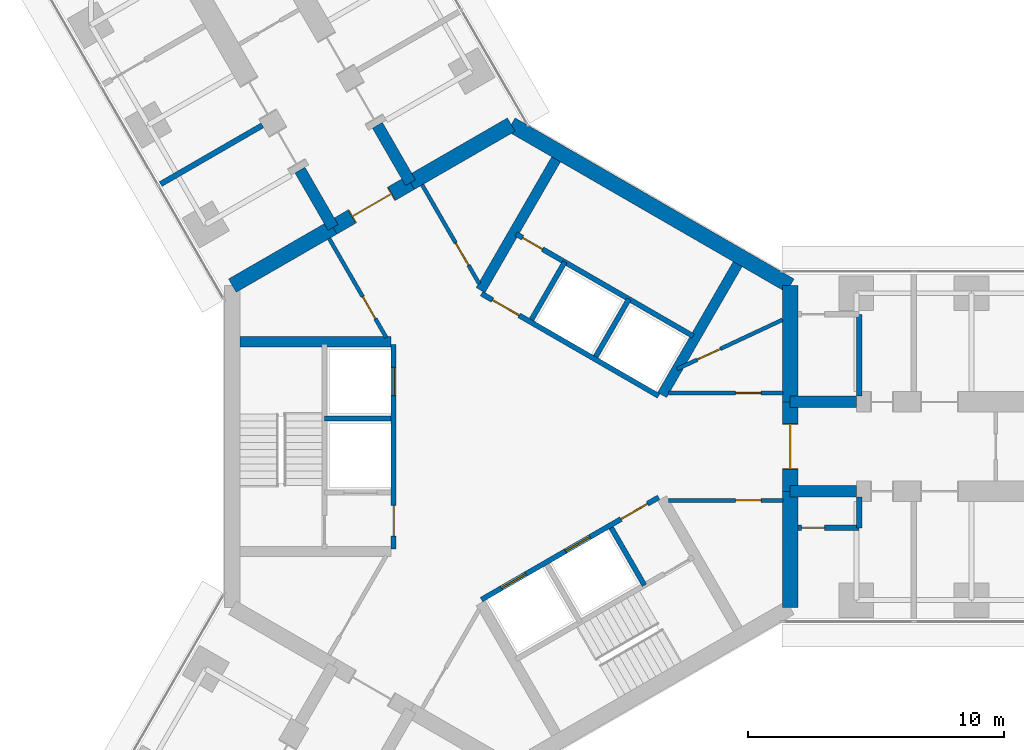
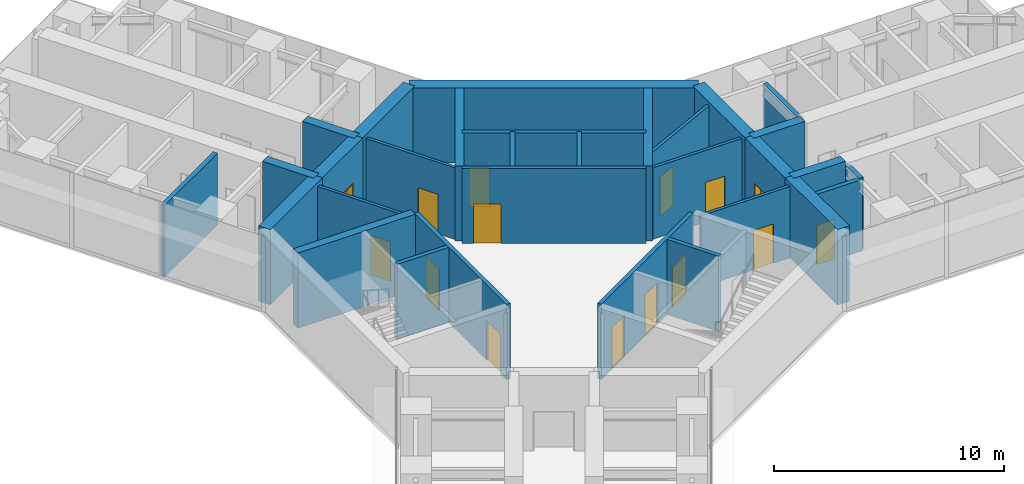
# One storey, part 16 of 21: 31 walls, 15 doors, 15 openings.
"""IFC4 building model written with IfcOpenShell, lengths in metres."""

from ifc_helpers import new_model, si_unit, direction, frame, frame_2d, origin, place, context, subcontext, project, spatial, rectangle, extrude, material, layer, layer_set, type_object, element, fill, save


model = new_model("IFC4")

# Units and contexts
model_context = context("Model", 3, precision=1e-05, world=origin(), true_north=direction((0.0, 1.0)))
body_context = subcontext(model_context, "Body", "Model", "MODEL_VIEW")
ifc_project = project(units=[si_unit("LENGTHUNIT", "METRE"), si_unit("AREAUNIT", "SQUARE_METRE"), si_unit("VOLUMEUNIT", "CUBIC_METRE"), si_unit("PLANEANGLEUNIT", "RADIAN"), si_unit("MASSUNIT", "GRAM", prefix="KILO")], contexts=[model_context])

# Site, building, storey
site_placement = place(None, origin())
site = spatial("IfcSite", under=ifc_project, at=site_placement, CompositionType="ELEMENT")
building_placement = place(site_placement, origin())
building = spatial("IfcBuilding", under=site, at=building_placement, Name="Upepo Twin Towers", CompositionType="ELEMENT")
storey_placement = place(building_placement, frame((0.0, 0.0, 117.5)))
storey = spatial("IfcBuildingStorey", under=building, at=storey_placement, Name="L28", CompositionType="ELEMENT", Elevation=117.5)

# Wall
ifc_material_1 = material(Name="Concrete blockwork, plastered both faces", Category="masonry")
ifc_layer_1 = layer(ifc_material_1, 0.215087890625)
ifc_layer_set_1 = layer_set([ifc_layer_1], Name="Blockwork partition 215")
wall_type_1 = type_object("IfcWallType", Name="Blockwork partition 215", PredefinedType="PARTITIONING", material=ifc_layer_set_1)
wall_1_placement = place(storey_placement, frame((13.60791015625, 1.97509765625, 0.0), z_axis=(0.0, 0.0, 1.0), x_axis=(0.0, 1.0, 0.0)))
element("IfcWall", 1, at=wall_1_placement, inside=storey, type_object=wall_type_1, Name="T1 WC bay partition AL end at 13.61", PredefinedType="PARTITIONING", context=body_context, shape_type="SweptSolid", body=[
    extrude(rectangle(XDim=3.199951171875, YDim=0.215087890625, at=frame_2d((1.60009765625, 0.0))), origin(), (0.0, 0.0, 1.0), 3.800048828125),
])

# Wall, opening, door
wall_2_placement = place(storey_placement, frame((11.2080078125, -3.175048828125, 0.0), z_axis=(0.0, 0.0, 1.0), x_axis=(1.0, 0.0, 0.0)))
wall_2 = element("IfcWall", 2, at=wall_2_placement, inside=storey, type_object=wall_type_1, Name="T1 WC bay partition AR at 11.21", PredefinedType="PARTITIONING", context=body_context, shape_type="SweptSolid", body=[
    extrude(rectangle(XDim=2.39990234375, YDim=0.215087890625, at=frame_2d((1.199951171875, 0.0))), origin(), (0.0, 0.0, 1.0), 3.800048828125),
])
opening_1_placement = place(wall_2_placement, frame((0.14990234375, 0.0, 0.0)))
opening_1 = element("IfcOpeningElement", 3, at=opening_1_placement, cuts=wall_2, Name="Opening D14", PredefinedType="OPENING", context=body_context, shape_type="SweptSolid", body=[
    extrude(rectangle(XDim=0.89990234375, YDim=2.10009765625, at=frame_2d((0.449951171875, 1.050048828125))), frame((0.0, 0.117431640625, 0.0), z_axis=(0.0, -1.0, 0.0), x_axis=(1.0, 0.0, 0.0)), (0.0, 0.0, 1.0), 0.235107421875),
])
ifc_material_2 = material(Name="Timber doorset", Category="wood")
door_type_1 = type_object("IfcDoorType", Name="Office door 900 FD30", OperationType="SINGLE_SWING_LEFT", PredefinedType="DOOR", material=ifc_material_2)
door_1_placement = place(opening_1_placement, origin())
door_1 = element("IfcDoor", 4, at=door_1_placement, inside=storey, type_object=door_type_1, Name="T1 L28 WC bay inner room door", OperationType="SINGLE_SWING_LEFT", OverallHeight=2.10009765625, OverallWidth=0.89990234375, PredefinedType="DOOR", context=body_context, shape_type="SweptSolid", body=[
    extrude(rectangle(XDim=0.89990234375, YDim=2.10009765625, at=frame_2d((0.449951171875, 1.050048828125))), frame((0.0, 0.02490234375, 0.0), z_axis=(0.0, -1.0, 0.0), x_axis=(1.0, 0.0, 0.0)), (0.0, 0.0, 1.0), 0.050048828125),
])
fill(opening_1, door_1)

# Walls
wall_3_placement = place(storey_placement, frame((13.60791015625, -1.97509765625, 0.0), z_axis=(0.0, 0.0, 1.0), x_axis=(0.0, -1.0, 0.0)))
element("IfcWall", 5, at=wall_3_placement, inside=storey, type_object=wall_type_1, Name="T1 WC bay partition AR end at 13.61", PredefinedType="PARTITIONING", context=body_context, shape_type="SweptSolid", body=[
    extrude(rectangle(XDim=1.199951171875, YDim=0.215087890625, at=frame_2d((0.60009765625, 0.0))), origin(), (0.0, 0.0, 1.0), 3.800048828125),
])
wall_4_placement = place(storey_placement, frame((-9.737060546875, 12.56494140625, 0.0), z_axis=(0.0, 0.0, 1.0), x_axis=(-0.866016770315, -0.500014953309, 0.0)))
element("IfcWall", 6, at=wall_4_placement, inside=storey, type_object=wall_type_1, Name="T1 partition BL at 15.75", PredefinedType="PARTITIONING", context=body_context, shape_type="SweptSolid", body=[
    extrude(rectangle(XDim=4.599853515625, YDim=0.215087890625, at=frame_2d((2.2998046875, 0.0))), origin(), (0.0, 0.0, 1.0), 3.800048828125),
])
ifc_material_3 = material(Name="Concrete C60/75", Category="concrete")
ifc_layer_2 = layer(ifc_material_3, 0.449951171875)
ifc_layer_set_2 = layer_set([ifc_layer_2], Name="Concrete C60/75")
wall_type_2 = type_object("IfcWallType", Name="Buttress wall 450 RC", PredefinedType="SHEAR", material=ifc_layer_set_2)
for number, where, z_axis, x_axis, name in (
    (7, (10.908447265625, 1.75, 0.0), (0.0, 0.0, 1.0), (1.0, 0.0, 0.0), "T1 wing A buttress wall L"),
    (8, (10.908447265625, -1.75, 0.0), (0.0, 0.0, 1.0), (1.0, 0.0, 0.0), "T1 wing A buttress wall R"),
):
    element("IfcWall", number, at=place(storey_placement, frame(where, z_axis=z_axis, x_axis=x_axis)), inside=storey, type_object=wall_type_2, Name=name, PredefinedType="SHEAR", context=body_context, shape_type="SweptSolid", body=[
        extrude(rectangle(XDim=2.591552734375, YDim=0.449951171875, at=frame_2d((1.2958984375, 0.0))), origin(), (0.0, 0.0, 1.0), 4.0),
    ])
for number, where, z_axis, x_axis, name in (
    (9, (-6.9697265625, 8.57177734375, 0.0), (0.0, 0.0, 1.0), (-0.499988811324, 0.866031863473, 0.0), "T1 wing B buttress wall L"),
    (10, (-3.938720703125, 10.32177734375, 0.0), (0.0, 0.0, 1.0), (-0.499918158782, 0.866072649678, 0.0), "T1 wing B buttress wall R"),
):
    element("IfcWall", number, at=place(storey_placement, frame(where, z_axis=z_axis, x_axis=x_axis)), inside=storey, type_object=wall_type_2, Name=name, PredefinedType="SHEAR", context=body_context, shape_type="SweptSolid", body=[
        extrude(rectangle(XDim=2.591796875, YDim=0.449951171875, at=frame_2d((1.2958984375, 0.0))), origin(), (0.0, 0.0, 1.0), 4.0),
    ])
ifc_material_4 = material(Name="Concrete C60/75", Category="concrete")
ifc_layer_3 = layer(ifc_material_4, 0.60009765625)
ifc_layer_set_3 = layer_set([ifc_layer_3], Name="Concrete C60/75")
wall_type_3 = type_object("IfcWallType", Name="Core wall 600 RC", PredefinedType="SHEAR", material=ifc_layer_set_3)
wall_5_placement = place(storey_placement, frame((10.908447265625, -6.2978515625, 0.0), z_axis=(0.0, 0.0, 1.0), x_axis=(0.0, 1.0, 0.0)))
element("IfcWall", 11, at=wall_5_placement, inside=storey, type_object=wall_type_3, Name="T1 core wall 000 R", PredefinedType="SHEAR", context=body_context, shape_type="SweptSolid", body=[
    extrude(rectangle(XDim=4.5478515625, YDim=0.60009765625, at=frame_2d((2.27392578125, 0.0))), origin(), (0.0, 0.0, 1.0), 4.0),
])

# Wall, opening, door
wall_6_placement = place(storey_placement, frame((10.908447265625, -1.75, 0.0), z_axis=(0.0, 0.0, 1.0), x_axis=(0.0, 1.0, 0.0)))
wall_6 = element("IfcWall", 12, at=wall_6_placement, inside=storey, type_object=wall_type_3, Name="T1 core wall 000", PredefinedType="SHEAR", context=body_context, shape_type="SweptSolid", body=[
    extrude(rectangle(XDim=3.5, YDim=0.60009765625, at=frame_2d((1.75, 0.0))), origin(), (0.0, 0.0, 1.0), 4.0),
])
opening_2_placement = place(wall_6_placement, frame((0.85009765625, 0.0, 0.0)))
opening_2 = element("IfcOpeningElement", 13, at=opening_2_placement, cuts=wall_6, Name="Opening D2", PredefinedType="OPENING", context=body_context, shape_type="SweptSolid", body=[
    extrude(rectangle(XDim=1.800048828125, YDim=2.10009765625, at=frame_2d((0.89990234375, 1.050048828125))), frame((0.0, 0.31005859375, 0.0), z_axis=(0.0, -1.0, 0.0), x_axis=(1.0, 0.0, 0.0)), (0.0, 0.0, 1.0), 0.6201171875),
])
ifc_material_5 = material(Name="Timber doorset", Category="wood")
door_type_2 = type_object("IfcDoorType", Name="Corridor double door 1800 FD60", OperationType="DOUBLE_DOOR_DOUBLE_SWING", PredefinedType="DOOR", material=ifc_material_5)
door_2_placement = place(opening_2_placement, origin())
door_2 = element("IfcDoor", 14, at=door_2_placement, inside=storey, type_object=door_type_2, Name="T1 L28 wing A corridor door", OperationType="DOUBLE_DOOR_DOUBLE_SWING", OverallHeight=2.10009765625, OverallWidth=1.800048828125, PredefinedType="DOOR", context=body_context, shape_type="SweptSolid", body=[
    extrude(rectangle(XDim=1.720048828125, YDim=2.06009765625, at=frame_2d((0.89990234375, 1.030029296875))), frame((0.0, 0.02490234375, 0.0), z_axis=(0.0, -1.0, 0.0), x_axis=(1.0, 0.0, 0.0)), (0.0, 0.0, 1.0), 0.050048828125),
    extrude(rectangle(XDim=0.04, YDim=2.10009765625, at=frame_2d((0.02001953125, 1.050048828125))), frame((0.0, 0.2998046875, 0.0), z_axis=(0.0, -1.0, 0.0), x_axis=(1.0, 0.0, 0.0)), (0.0, 0.0, 1.0), 0.599609375),
    extrude(rectangle(XDim=0.04, YDim=2.10009765625, at=frame_2d((1.780029296875, 1.050048828125))), frame((0.0, 0.2998046875, 0.0), z_axis=(0.0, -1.0, 0.0), x_axis=(1.0, 0.0, 0.0)), (0.0, 0.0, 1.0), 0.599609375),
    extrude(rectangle(XDim=1.720048828125, YDim=0.04, at=frame_2d((0.89990234375, 2.080078125))), frame((0.0, 0.2998046875, 0.0), z_axis=(0.0, -1.0, 0.0), x_axis=(1.0, 0.0, 0.0)), (0.0, 0.0, 1.0), 0.599609375),
])
fill(opening_2, door_2)

# Walls
wall_7_placement = place(storey_placement, frame((10.908447265625, 1.75, 0.0), z_axis=(0.0, 0.0, 1.0), x_axis=(0.0, 1.0, 0.0)))
element("IfcWall", 15, at=wall_7_placement, inside=storey, type_object=wall_type_3, Name="T1 core wall 000 L", PredefinedType="SHEAR", context=body_context, shape_type="SweptSolid", body=[
    extrude(rectangle(XDim=4.5478515625, YDim=0.60009765625, at=frame_2d((2.27392578125, 0.0))), origin(), (0.0, 0.0, 1.0), 4.0),
])
wall_8_placement = place(storey_placement, frame((10.908447265625, 6.2978515625, 0.0), z_axis=(0.0, 0.0, 1.0), x_axis=(-0.866021940709, 0.500005998175, 0.0)))
element("IfcWall", 16, at=wall_8_placement, inside=storey, type_object=wall_type_3, Name="T1 core wall 060", PredefinedType="SHEAR", context=body_context, shape_type="SweptSolid", body=[
    extrude(rectangle(XDim=12.595947265625, YDim=0.60009765625, at=frame_2d((6.2978515625, 0.0))), origin(), (0.0, 0.0, 1.0), 4.0),
])
wall_9_placement = place(storey_placement, frame((0.0, 12.595947265625, 0.0), z_axis=(0.0, 0.0, 1.0), x_axis=(-0.866011268655, -0.500024481964, 0.0)))
element("IfcWall", 17, at=wall_9_placement, inside=storey, type_object=wall_type_3, Name="T1 core wall 120 R", PredefinedType="SHEAR", context=body_context, shape_type="SweptSolid", body=[
    extrude(rectangle(XDim=4.548095703125, YDim=0.60009765625, at=frame_2d((2.27392578125, 0.0))), origin(), (0.0, 0.0, 1.0), 4.0),
])

# Wall, opening, door
wall_10_placement = place(storey_placement, frame((-3.938720703125, 10.32177734375, 0.0), z_axis=(0.0, 0.0, 1.0), x_axis=(-0.866019471182, -0.500010275428, 0.0)))
wall_10 = element("IfcWall", 18, at=wall_10_placement, inside=storey, type_object=wall_type_3, Name="T1 core wall 120", PredefinedType="SHEAR", context=body_context, shape_type="SweptSolid", body=[
    extrude(rectangle(XDim=3.5, YDim=0.60009765625, at=frame_2d((1.75, 0.0))), origin(), (0.0, 0.0, 1.0), 4.0),
])
opening_3_placement = place(wall_10_placement, frame((0.85009765625, 0.0, 0.0)))
opening_3 = element("IfcOpeningElement", 19, at=opening_3_placement, cuts=wall_10, Name="Opening D2", PredefinedType="OPENING", context=body_context, shape_type="SweptSolid", body=[
    extrude(rectangle(XDim=1.800048828125, YDim=2.10009765625, at=frame_2d((0.89990234375, 1.050048828125))), frame((0.0, 0.31005859375, 0.0), z_axis=(0.0, -1.0, 0.0), x_axis=(1.0, 0.0, 0.0)), (0.0, 0.0, 1.0), 0.6201171875),
])
door_3_placement = place(opening_3_placement, origin())
door_3 = element("IfcDoor", 20, at=door_3_placement, inside=storey, type_object=door_type_2, Name="T1 L28 wing B corridor door", OperationType="DOUBLE_DOOR_DOUBLE_SWING", OverallHeight=2.10009765625, OverallWidth=1.800048828125, PredefinedType="DOOR", context=body_context, shape_type="SweptSolid", body=[
    extrude(rectangle(XDim=1.720048828125, YDim=2.06009765625, at=frame_2d((0.89990234375, 1.030029296875))), frame((0.0, 0.02490234375, 0.0), z_axis=(0.0, -1.0, 0.0), x_axis=(1.0, 0.0, 0.0)), (0.0, 0.0, 1.0), 0.050048828125),
    extrude(rectangle(XDim=0.04, YDim=2.10009765625, at=frame_2d((0.02001953125, 1.050048828125))), frame((0.0, 0.2998046875, 0.0), z_axis=(0.0, -1.0, 0.0), x_axis=(1.0, 0.0, 0.0)), (0.0, 0.0, 1.0), 0.599609375),
    extrude(rectangle(XDim=0.04, YDim=2.10009765625, at=frame_2d((1.780029296875, 1.050048828125))), frame((0.0, 0.2998046875, 0.0), z_axis=(0.0, -1.0, 0.0), x_axis=(1.0, 0.0, 0.0)), (0.0, 0.0, 1.0), 0.599609375),
    extrude(rectangle(XDim=1.720048828125, YDim=0.04, at=frame_2d((0.89990234375, 2.080078125))), frame((0.0, 0.2998046875, 0.0), z_axis=(0.0, -1.0, 0.0), x_axis=(1.0, 0.0, 0.0)), (0.0, 0.0, 1.0), 0.599609375),
])
fill(opening_3, door_3)

# Wall
wall_11_placement = place(storey_placement, frame((-6.9697265625, 8.57177734375, 0.0), z_axis=(0.0, 0.0, 1.0), x_axis=(-0.866034513004, -0.499984222037, 0.0)))
element("IfcWall", 21, at=wall_11_placement, inside=storey, type_object=wall_type_3, Name="T1 core wall 120 L", PredefinedType="SHEAR", context=body_context, shape_type="SweptSolid", body=[
    extrude(rectangle(XDim=4.548095703125, YDim=0.60009765625, at=frame_2d((2.27392578125, 0.0))), origin(), (0.0, 0.0, 1.0), 4.0),
])

# Wall, opening, door
ifc_material_6 = material(Name="Concrete C40/50", Category="concrete")
ifc_layer_4 = layer(ifc_material_6, 0.199951171875)
ifc_layer_set_4 = layer_set([ifc_layer_4], Name="Concrete C40/50")
wall_type_4 = type_object("IfcWallType", Name="Shaft wall 200 RC", PredefinedType="SHEAR", material=ifc_layer_set_4)
wall_12_placement = place(storey_placement, frame((5.76416015625, 1.983642578125, 0.0), z_axis=(0.0, 0.0, 1.0), x_axis=(-0.866026010844, 0.49999894854, 0.0)))
wall_12 = element("IfcWall", 22, at=wall_12_placement, inside=storey, type_object=wall_type_4, Name="T1 core W60 front wall", PredefinedType="SHEAR", context=body_context, shape_type="SweptSolid", body=[
    extrude(rectangle(XDim=8.0, YDim=0.199951171875, at=frame_2d((4.0, 0.0))), origin(), (0.0, 0.0, 1.0), 4.0),
])
opening_4_placement = place(wall_12_placement, frame((6.300048828125, 0.0, 0.0)))
opening_4 = element("IfcOpeningElement", 23, at=opening_4_placement, cuts=wall_12, Name="Opening D4", PredefinedType="OPENING", context=body_context, shape_type="SweptSolid", body=[
    extrude(rectangle(XDim=1.199951171875, YDim=2.10009765625, at=frame_2d((0.60009765625, 1.050048828125))), frame((0.0, 0.10986328125, 0.0), z_axis=(0.0, -1.0, 0.0), x_axis=(1.0, 0.0, 0.0)), (0.0, 0.0, 1.0), 0.219970703125),
])
ifc_material_7 = material(Name="Timber doorset", Category="wood")
door_type_3 = type_object("IfcDoorType", Name="Lobby door 1200 FD60", OperationType="SINGLE_SWING_LEFT", PredefinedType="DOOR", material=ifc_material_7)
door_4_placement = place(opening_4_placement, origin())
door_4 = element("IfcDoor", 24, at=door_4_placement, inside=storey, type_object=door_type_3, Name="T1 L28 W60 lobby door", OperationType="SINGLE_SWING_RIGHT", OverallHeight=2.10009765625, OverallWidth=1.199951171875, PredefinedType="DOOR", context=body_context, shape_type="SweptSolid", body=[
    extrude(rectangle(XDim=1.199951171875, YDim=2.10009765625, at=frame_2d((0.60009765625, 1.050048828125))), frame((0.0, 0.02490234375, 0.0), z_axis=(0.0, -1.0, 0.0), x_axis=(1.0, 0.0, 0.0)), (0.0, 0.0, 1.0), 0.050048828125),
])
fill(opening_4, door_4)

# Walls
for number, where, z_axis, x_axis, name in (
    (25, (3.302734375, 3.520263671875, 0.0), (0.0, 0.0, 1.0), (0.499936506574, 0.866062058628, 0.0), "T1 core W60 shaft divider"),
    (26, (0.791259765625, 4.97021484375, 0.0), (0.0, 0.0, 1.0), (0.499936506574, 0.866062058628, 0.0), "T1 core W60 lobby wall"),
):
    element("IfcWall", number, at=place(storey_placement, frame(where, z_axis=z_axis, x_axis=x_axis)), inside=storey, type_object=wall_type_4, Name=name, PredefinedType="SHEAR", context=body_context, shape_type="SweptSolid", body=[
        extrude(rectangle(XDim=2.599853515625, YDim=0.199951171875, at=frame_2d((1.2998046875, 0.0))), origin(), (0.0, 0.0, 1.0), 4.0),
    ])

# Wall, opening, door
wall_13_placement = place(storey_placement, frame((7.114013671875, 4.322021484375, 0.0), z_axis=(0.0, 0.0, 1.0), x_axis=(-0.866026010844, 0.49999894854, 0.0)))
wall_13 = element("IfcWall", 27, at=wall_13_placement, inside=storey, type_object=wall_type_4, Name="T1 core W60 stair wall", PredefinedType="SHEAR", context=body_context, shape_type="SweptSolid", body=[
    extrude(rectangle(XDim=8.0, YDim=0.199951171875, at=frame_2d((4.0, 0.0))), origin(), (0.0, 0.0, 1.0), 4.0),
])
opening_5_placement = place(wall_13_placement, frame((6.800048828125, 0.0, 0.0)))
opening_5 = element("IfcOpeningElement", 28, at=opening_5_placement, cuts=wall_13, Name="Opening D9", PredefinedType="OPENING", context=body_context, shape_type="SweptSolid", body=[
    extrude(rectangle(XDim=0.89990234375, YDim=2.10009765625, at=frame_2d((0.449951171875, 1.050048828125))), frame((0.0, 0.10986328125, 0.0), z_axis=(0.0, -1.0, 0.0), x_axis=(1.0, 0.0, 0.0)), (0.0, 0.0, 1.0), 0.219970703125),
])
ifc_material_8 = material(Name="Timber doorset", Category="wood")
door_type_4 = type_object("IfcDoorType", Name="Riser door 900 FD60", OperationType="SINGLE_SWING_LEFT", PredefinedType="DOOR", material=ifc_material_8)
door_5_placement = place(opening_5_placement, origin())
door_5 = element("IfcDoor", 29, at=door_5_placement, inside=storey, type_object=door_type_4, Name="T1 L28 riser door", OperationType="SINGLE_SWING_RIGHT", OverallHeight=2.10009765625, OverallWidth=0.89990234375, PredefinedType="DOOR", context=body_context, shape_type="SweptSolid", body=[
    extrude(rectangle(XDim=0.89990234375, YDim=2.10009765625, at=frame_2d((0.449951171875, 1.050048828125))), frame((0.0, 0.02490234375, 0.0), z_axis=(0.0, -1.0, 0.0), x_axis=(1.0, 0.0, 0.0)), (0.0, 0.0, 1.0), 0.050048828125),
])
fill(opening_5, door_5)

# Wall, openings, doors
wall_14_placement = place(storey_placement, frame((-4.60009765625, 4.0, 0.0), z_axis=(0.0, 0.0, 1.0), x_axis=(0.0, -1.0, 0.0)))
wall_14 = element("IfcWall", 30, at=wall_14_placement, inside=storey, type_object=wall_type_4, Name="T1 core W180 front wall", PredefinedType="SHEAR", context=body_context, shape_type="SweptSolid", body=[
    extrude(rectangle(XDim=8.0, YDim=0.199951171875, at=frame_2d((4.0, 0.0))), origin(), (0.0, 0.0, 1.0), 4.0),
])
opening_6_placement = place(wall_14_placement, frame((6.300048828125, 0.0, 0.0)))
opening_6 = element("IfcOpeningElement", 31, at=opening_6_placement, cuts=wall_14, Name="Opening D4", PredefinedType="OPENING", context=body_context, shape_type="SweptSolid", body=[
    extrude(rectangle(XDim=1.199951171875, YDim=2.10009765625, at=frame_2d((0.60009765625, 1.050048828125))), frame((0.0, 0.10986328125, 0.0), z_axis=(0.0, -1.0, 0.0), x_axis=(1.0, 0.0, 0.0)), (0.0, 0.0, 1.0), 0.219970703125),
])
opening_7_placement = place(wall_14_placement, frame((0.89990234375, 0.0, 0.0)))
opening_7 = element("IfcOpeningElement", 32, at=opening_7_placement, cuts=wall_14, Name="Opening LD1", PredefinedType="OPENING", context=body_context, shape_type="SweptSolid", body=[
    extrude(rectangle(XDim=1.10009765625, YDim=2.199951171875, at=frame_2d((0.550048828125, 1.10009765625))), frame((0.0, 0.10986328125, 0.0), z_axis=(0.0, -1.0, 0.0), x_axis=(1.0, 0.0, 0.0)), (0.0, 0.0, 1.0), 0.219970703125),
])
ifc_material_9 = material(Name="Steel doorset", Category="steel")
door_type_5 = type_object("IfcDoorType", Name="Lift landing door 1100", OperationType="DOUBLE_DOOR_SLIDING", PredefinedType="DOOR", material=ifc_material_9)
door_6_placement = place(opening_7_placement, origin())
door_6 = element("IfcDoor", 33, at=door_6_placement, inside=storey, type_object=door_type_5, Name="T1 L28 lift SV1 landing door", OperationType="DOUBLE_DOOR_SLIDING", OverallHeight=2.199951171875, OverallWidth=1.10009765625, PredefinedType="DOOR", context=body_context, shape_type="SweptSolid", body=[
    extrude(rectangle(XDim=1.10009765625, YDim=2.199951171875, at=frame_2d((0.550048828125, 1.10009765625))), frame((0.0, 0.02490234375, 0.0), z_axis=(0.0, -1.0, 0.0), x_axis=(1.0, 0.0, 0.0)), (0.0, 0.0, 1.0), 0.050048828125),
])
fill(opening_7, door_6)
door_7_placement = place(opening_6_placement, origin())
door_7 = element("IfcDoor", 34, at=door_7_placement, inside=storey, type_object=door_type_3, Name="T1 L28 W180 lobby door", OperationType="SINGLE_SWING_RIGHT", OverallHeight=2.10009765625, OverallWidth=1.199951171875, PredefinedType="DOOR", context=body_context, shape_type="SweptSolid", body=[
    extrude(rectangle(XDim=1.199951171875, YDim=2.10009765625, at=frame_2d((0.60009765625, 1.050048828125))), frame((0.0, 0.02490234375, 0.0), z_axis=(0.0, -1.0, 0.0), x_axis=(1.0, 0.0, 0.0)), (0.0, 0.0, 1.0), 0.050048828125),
])
fill(opening_6, door_7)

# Wall
wall_15_placement = place(storey_placement, frame((-4.699951171875, 1.10009765625, 0.0), z_axis=(0.0, 0.0, 1.0), x_axis=(-1.0, 0.0, 0.0)))
element("IfcWall", 35, at=wall_15_placement, inside=storey, type_object=wall_type_4, Name="T1 core W180 shaft divider", PredefinedType="SHEAR", context=body_context, shape_type="SweptSolid", body=[
    extrude(rectangle(XDim=2.60009765625, YDim=0.199951171875, at=frame_2d((1.300048828125, 0.0))), origin(), (0.0, 0.0, 1.0), 4.0),
])

# Wall, openings, doors
wall_16_placement = place(storey_placement, frame((-1.1640625, -5.983642578125, 0.0), z_axis=(0.0, 0.0, 1.0), x_axis=(0.866026010844, 0.49999894854, 0.0)))
wall_16 = element("IfcWall", 36, at=wall_16_placement, inside=storey, type_object=wall_type_4, Name="T1 core W300 front wall", PredefinedType="SHEAR", context=body_context, shape_type="SweptSolid", body=[
    extrude(rectangle(XDim=8.0, YDim=0.199951171875, at=frame_2d((4.0, 0.0))), origin(), (0.0, 0.0, 1.0), 4.0),
])
opening_8_placement = place(wall_16_placement, frame((6.300048828125, 0.0, 0.0)))
opening_8 = element("IfcOpeningElement", 37, at=opening_8_placement, cuts=wall_16, Name="Opening D4", PredefinedType="OPENING", context=body_context, shape_type="SweptSolid", body=[
    extrude(rectangle(XDim=1.199951171875, YDim=2.10009765625, at=frame_2d((0.60009765625, 1.050048828125))), frame((0.0, 0.10986328125, 0.0), z_axis=(0.0, -1.0, 0.0), x_axis=(1.0, 0.0, 0.0)), (0.0, 0.0, 1.0), 0.219970703125),
])
opening_9_placement = place(wall_16_placement, frame((0.89990234375, 0.0, 0.0)))
opening_9 = element("IfcOpeningElement", 38, at=opening_9_placement, cuts=wall_16, Name="Opening LD1", PredefinedType="OPENING", context=body_context, shape_type="SweptSolid", body=[
    extrude(rectangle(XDim=1.10009765625, YDim=2.199951171875, at=frame_2d((0.550048828125, 1.10009765625))), frame((0.0, 0.10986328125, 0.0), z_axis=(0.0, -1.0, 0.0), x_axis=(1.0, 0.0, 0.0)), (0.0, 0.0, 1.0), 0.219970703125),
])
opening_10_placement = place(wall_16_placement, frame((3.800048828125, 0.0, 0.0)))
opening_10 = element("IfcOpeningElement", 39, at=opening_10_placement, cuts=wall_16, Name="Opening LD1", PredefinedType="OPENING", context=body_context, shape_type="SweptSolid", body=[
    extrude(rectangle(XDim=1.10009765625, YDim=2.199951171875, at=frame_2d((0.550048828125, 1.10009765625))), frame((0.0, 0.10986328125, 0.0), z_axis=(0.0, -1.0, 0.0), x_axis=(1.0, 0.0, 0.0)), (0.0, 0.0, 1.0), 0.219970703125),
])
door_8_placement = place(opening_9_placement, origin())
door_8 = element("IfcDoor", 40, at=door_8_placement, inside=storey, type_object=door_type_5, Name="T1 L28 lift ML1 landing door", OperationType="DOUBLE_DOOR_SLIDING", OverallHeight=2.199951171875, OverallWidth=1.10009765625, PredefinedType="DOOR", context=body_context, shape_type="SweptSolid", body=[
    extrude(rectangle(XDim=1.10009765625, YDim=2.199951171875, at=frame_2d((0.550048828125, 1.10009765625))), frame((0.0, 0.02490234375, 0.0), z_axis=(0.0, -1.0, 0.0), x_axis=(1.0, 0.0, 0.0)), (0.0, 0.0, 1.0), 0.050048828125),
])
fill(opening_9, door_8)
door_9_placement = place(opening_10_placement, origin())
door_9 = element("IfcDoor", 41, at=door_9_placement, inside=storey, type_object=door_type_5, Name="T1 L28 lift ML2 landing door", OperationType="DOUBLE_DOOR_SLIDING", OverallHeight=2.199951171875, OverallWidth=1.10009765625, PredefinedType="DOOR", context=body_context, shape_type="SweptSolid", body=[
    extrude(rectangle(XDim=1.10009765625, YDim=2.199951171875, at=frame_2d((0.550048828125, 1.10009765625))), frame((0.0, 0.02490234375, 0.0), z_axis=(0.0, -1.0, 0.0), x_axis=(1.0, 0.0, 0.0)), (0.0, 0.0, 1.0), 0.050048828125),
])
fill(opening_10, door_9)
door_10_placement = place(opening_8_placement, origin())
door_10 = element("IfcDoor", 42, at=door_10_placement, inside=storey, type_object=door_type_3, Name="T1 L28 W300 lobby door", OperationType="SINGLE_SWING_RIGHT", OverallHeight=2.10009765625, OverallWidth=1.199951171875, PredefinedType="DOOR", context=body_context, shape_type="SweptSolid", body=[
    extrude(rectangle(XDim=1.199951171875, YDim=2.10009765625, at=frame_2d((0.60009765625, 1.050048828125))), frame((0.0, 0.02490234375, 0.0), z_axis=(0.0, -1.0, 0.0), x_axis=(1.0, 0.0, 0.0)), (0.0, 0.0, 1.0), 0.050048828125),
])
fill(opening_8, door_10)

# Walls
wall_17_placement = place(storey_placement, frame((3.908935546875, -3.17041015625, 0.0), z_axis=(0.0, 0.0, 1.0), x_axis=(0.49997716683, -0.86603858612, 0.0)))
element("IfcWall", 43, at=wall_17_placement, inside=storey, type_object=wall_type_4, Name="T1 core W300 lobby wall", PredefinedType="SHEAR", context=body_context, shape_type="SweptSolid", body=[
    extrude(rectangle(XDim=2.599609375, YDim=0.199951171875, at=frame_2d((1.2998046875, 0.0))), origin(), (0.0, 0.0, 1.0), 4.0),
])
ifc_material_10 = material(Name="Concrete C40/50", Category="concrete")
ifc_layer_5 = layer(ifc_material_10, 0.39990234375)
ifc_layer_set_5 = layer_set([ifc_layer_5], Name="Concrete C40/50")
wall_type_5 = type_object("IfcWallType", Name="Shaft wall 400 RC", PredefinedType="SHEAR", material=ifc_layer_set_5)
wall_18_placement = place(storey_placement, frame((-1.20068359375, 6.120361328125, 0.0), z_axis=(0.0, 0.0, 1.0), x_axis=(0.49999668571, 0.866027317282, 0.0)))
element("IfcWall", 44, at=wall_18_placement, inside=storey, type_object=wall_type_5, Name="T1 core W60 side wall N", PredefinedType="SHEAR", context=body_context, shape_type="SweptSolid", body=[
    extrude(rectangle(XDim=5.908203125, YDim=0.39990234375, at=frame_2d((2.9541015625, 0.0))), origin(), (0.0, 0.0, 1.0), 4.0),
])
for number, where, z_axis, x_axis, name in (
    (45, (5.900634765625, 2.020263671875, 0.0), (0.0, 0.0, 1.0), (0.500027676417, 0.866009424208, 0.0), "T1 core W60 side wall S"),
    (46, (-4.699951171875, 4.10009765625, 0.0), (0.0, 0.0, 1.0), (-1.0, 0.0, 0.0), "T1 core W180 side wall S"),
):
    element("IfcWall", number, at=place(storey_placement, frame(where, z_axis=z_axis, x_axis=x_axis)), inside=storey, type_object=wall_type_5, Name=name, PredefinedType="SHEAR", context=body_context, shape_type="SweptSolid", body=[
        extrude(rectangle(XDim=5.908447265625, YDim=0.39990234375, at=frame_2d((2.9541015625, 0.0))), origin(), (0.0, 0.0, 1.0), 4.0),
    ])

# Wall, opening, door
ifc_material_11 = material(Name="Gypsum board on steel studs", Category="steel")
ifc_layer_6 = layer(ifc_material_11, 0.14990234375)
ifc_layer_set_6 = layer_set([ifc_layer_6], Name="Teaching partition 150 acoustic")
wall_type_6 = type_object("IfcWallType", Name="Teaching partition 150 acoustic", PredefinedType="PARTITIONING", material=ifc_layer_set_6)
wall_19_placement = place(storey_placement, frame((-4.889892578125, 4.269775390625, 0.0), z_axis=(0.0, 0.0, 1.0), x_axis=(-0.499999473313, 0.866025707867, 0.0)))
wall_19 = element("IfcWall", 47, at=wall_19_placement, inside=storey, type_object=wall_type_6, Name="T1 core room partition 3", PredefinedType="PARTITIONING", context=body_context, shape_type="SweptSolid", body=[
    extrude(rectangle(XDim=4.4755859375, YDim=0.14990234375, at=frame_2d((2.23779296875, 0.0))), origin(), (0.0, 0.0, 1.0), 3.800048828125),
])
opening_11_placement = place(wall_19_placement, frame((0.8427734375, 0.0, 0.0)))
opening_11 = element("IfcOpeningElement", 48, at=opening_11_placement, cuts=wall_19, Name="Opening D1", PredefinedType="OPENING", context=body_context, shape_type="SweptSolid", body=[
    extrude(rectangle(XDim=1.0, YDim=2.10009765625, at=frame_2d((0.5, 1.050048828125))), frame((0.0, 0.0849609375, 0.0), z_axis=(0.0, -1.0, 0.0), x_axis=(1.0, 0.0, 0.0)), (0.0, 0.0, 1.0), 0.169921875),
])
ifc_material_12 = material(Name="Timber doorset", Category="wood")
door_type_6 = type_object("IfcDoorType", Name="Room door 1000 FD30", OperationType="SINGLE_SWING_LEFT", PredefinedType="DOOR", material=ifc_material_12)
door_11_placement = place(opening_11_placement, origin())
door_11 = element("IfcDoor", 49, at=door_11_placement, inside=storey, type_object=door_type_6, Name="T1 L28 core room door K7", OperationType="SINGLE_SWING_LEFT", OverallHeight=2.10009765625, OverallWidth=1.0, PredefinedType="DOOR", context=body_context, shape_type="SweptSolid", body=[
    extrude(rectangle(XDim=1.0, YDim=2.10009765625, at=frame_2d((0.5, 1.050048828125))), frame((0.0, 0.02490234375, 0.0), z_axis=(0.0, -1.0, 0.0), x_axis=(1.0, 0.0, 0.0)), (0.0, 0.0, 1.0), 0.050048828125),
])
fill(opening_11, door_11)

wall_20_placement = place(storey_placement, frame((-3.490478515625, 10.24560546875, 0.0), z_axis=(0.0, 0.0, 1.0), x_axis=(0.499999473313, -0.866025707867, 0.0)))
wall_20 = element("IfcWall", 50, at=wall_20_placement, inside=storey, type_object=wall_type_6, Name="T1 core room partition 4", PredefinedType="PARTITIONING", context=body_context, shape_type="SweptSolid", body=[
    extrude(rectangle(XDim=4.4755859375, YDim=0.14990234375, at=frame_2d((2.23779296875, 0.0))), origin(), (0.0, 0.0, 1.0), 3.800048828125),
])
opening_12_placement = place(wall_20_placement, frame((2.633056640625, 0.0, 0.0)))
opening_12 = element("IfcOpeningElement", 51, at=opening_12_placement, cuts=wall_20, Name="Opening D1", PredefinedType="OPENING", context=body_context, shape_type="SweptSolid", body=[
    extrude(rectangle(XDim=1.0, YDim=2.10009765625, at=frame_2d((0.5, 1.050048828125))), frame((0.0, 0.0849609375, 0.0), z_axis=(0.0, -1.0, 0.0), x_axis=(1.0, 0.0, 0.0)), (0.0, 0.0, 1.0), 0.169921875),
])
door_12_placement = place(opening_12_placement, origin())
door_12 = element("IfcDoor", 52, at=door_12_placement, inside=storey, type_object=door_type_6, Name="T1 L28 core room door K6", OperationType="SINGLE_SWING_RIGHT", OverallHeight=2.10009765625, OverallWidth=1.0, PredefinedType="DOOR", context=body_context, shape_type="SweptSolid", body=[
    extrude(rectangle(XDim=1.0, YDim=2.10009765625, at=frame_2d((0.5, 1.050048828125))), frame((0.0, 0.02490234375, 0.0), z_axis=(0.0, -1.0, 0.0), x_axis=(1.0, 0.0, 0.0)), (0.0, 0.0, 1.0), 0.050048828125),
])
fill(opening_12, door_12)

wall_21_placement = place(storey_placement, frame((6.142578125, 2.10009765625, 0.0), z_axis=(0.0, 0.0, 1.0), x_axis=(1.0, 0.0, 0.0)))
wall_21 = element("IfcWall", 53, at=wall_21_placement, inside=storey, type_object=wall_type_6, Name="T1 core room partition 5", PredefinedType="PARTITIONING", context=body_context, shape_type="SweptSolid", body=[
    extrude(rectangle(XDim=4.475830078125, YDim=0.14990234375, at=frame_2d((2.23779296875, 0.0))), origin(), (0.0, 0.0, 1.0), 3.800048828125),
])
opening_13_placement = place(wall_21_placement, frame((2.6328125, 0.0, 0.0)))
opening_13 = element("IfcOpeningElement", 54, at=opening_13_placement, cuts=wall_21, Name="Opening D1", PredefinedType="OPENING", context=body_context, shape_type="SweptSolid", body=[
    extrude(rectangle(XDim=1.0, YDim=2.10009765625, at=frame_2d((0.5, 1.050048828125))), frame((0.0, 0.0849609375, 0.0), z_axis=(0.0, -1.0, 0.0), x_axis=(1.0, 0.0, 0.0)), (0.0, 0.0, 1.0), 0.169921875),
])
door_13_placement = place(opening_13_placement, origin())
door_13 = element("IfcDoor", 55, at=door_13_placement, inside=storey, type_object=door_type_6, Name="T1 L28 core room door K4", OperationType="SINGLE_SWING_RIGHT", OverallHeight=2.10009765625, OverallWidth=1.0, PredefinedType="DOOR", context=body_context, shape_type="SweptSolid", body=[
    extrude(rectangle(XDim=1.0, YDim=2.10009765625, at=frame_2d((0.5, 1.050048828125))), frame((0.0, 0.02490234375, 0.0), z_axis=(0.0, -1.0, 0.0), x_axis=(1.0, 0.0, 0.0)), (0.0, 0.0, 1.0), 0.050048828125),
])
fill(opening_13, door_13)

wall_22_placement = place(storey_placement, frame((10.618408203125, -2.10009765625, 0.0), z_axis=(0.0, 0.0, 1.0), x_axis=(-1.0, 0.0, 0.0)))
wall_22 = element("IfcWall", 56, at=wall_22_placement, inside=storey, type_object=wall_type_6, Name="T1 core room partition 6", PredefinedType="PARTITIONING", context=body_context, shape_type="SweptSolid", body=[
    extrude(rectangle(XDim=4.475830078125, YDim=0.14990234375, at=frame_2d((2.23779296875, 0.0))), origin(), (0.0, 0.0, 1.0), 3.800048828125),
])
opening_14_placement = place(wall_22_placement, frame((0.8427734375, 0.0, 0.0)))
opening_14 = element("IfcOpeningElement", 57, at=opening_14_placement, cuts=wall_22, Name="Opening D1", PredefinedType="OPENING", context=body_context, shape_type="SweptSolid", body=[
    extrude(rectangle(XDim=1.0, YDim=2.10009765625, at=frame_2d((0.5, 1.050048828125))), frame((0.0, 0.0849609375, 0.0), z_axis=(0.0, -1.0, 0.0), x_axis=(1.0, 0.0, 0.0)), (0.0, 0.0, 1.0), 0.169921875),
])
door_14_placement = place(opening_14_placement, origin())
door_14 = element("IfcDoor", 58, at=door_14_placement, inside=storey, type_object=door_type_6, Name="T1 L28 core room door K3", OperationType="SINGLE_SWING_LEFT", OverallHeight=2.10009765625, OverallWidth=1.0, PredefinedType="DOOR", context=body_context, shape_type="SweptSolid", body=[
    extrude(rectangle(XDim=1.0, YDim=2.10009765625, at=frame_2d((0.5, 1.050048828125))), frame((0.0, 0.02490234375, 0.0), z_axis=(0.0, -1.0, 0.0), x_axis=(1.0, 0.0, 0.0)), (0.0, 0.0, 1.0), 0.050048828125),
])
fill(opening_14, door_14)

wall_23_placement = place(storey_placement, frame((6.4853515625, 3.032958984375, 0.0), z_axis=(0.0, 0.0, 1.0), x_axis=(0.905834774787, 0.423631161255, 0.0)))
wall_23 = element("IfcWall", 59, at=wall_23_placement, inside=storey, type_object=wall_type_6, Name="T1 core room partition 7", PredefinedType="PARTITIONING", context=body_context, shape_type="SweptSolid", body=[
    extrude(rectangle(XDim=4.5517578125, YDim=0.14990234375, at=frame_2d((2.27587890625, 0.0))), origin(), (0.0, 0.0, 1.0), 3.800048828125),
])
opening_15_placement = place(wall_23_placement, frame((0.865478515625, 0.0, 0.0)))
opening_15 = element("IfcOpeningElement", 60, at=opening_15_placement, cuts=wall_23, Name="Opening D1", PredefinedType="OPENING", context=body_context, shape_type="SweptSolid", body=[
    extrude(rectangle(XDim=1.0, YDim=2.10009765625, at=frame_2d((0.5, 1.050048828125))), frame((0.0, 0.0849609375, 0.0), z_axis=(0.0, -1.0, 0.0), x_axis=(1.0, 0.0, 0.0)), (0.0, 0.0, 1.0), 0.169921875),
])
door_15_placement = place(opening_15_placement, origin())
door_15 = element("IfcDoor", 61, at=door_15_placement, inside=storey, type_object=door_type_6, Name="T1 L28 core room door K5", OperationType="SINGLE_SWING_LEFT", OverallHeight=2.10009765625, OverallWidth=1.0, PredefinedType="DOOR", context=body_context, shape_type="SweptSolid", body=[
    extrude(rectangle(XDim=1.0, YDim=2.10009765625, at=frame_2d((0.5, 1.050048828125))), frame((0.0, 0.02490234375, 0.0), z_axis=(0.0, -1.0, 0.0), x_axis=(1.0, 0.0, 0.0)), (0.0, 0.0, 1.0), 0.050048828125),
])
fill(opening_15, door_15)

save(model, "model.ifc")
